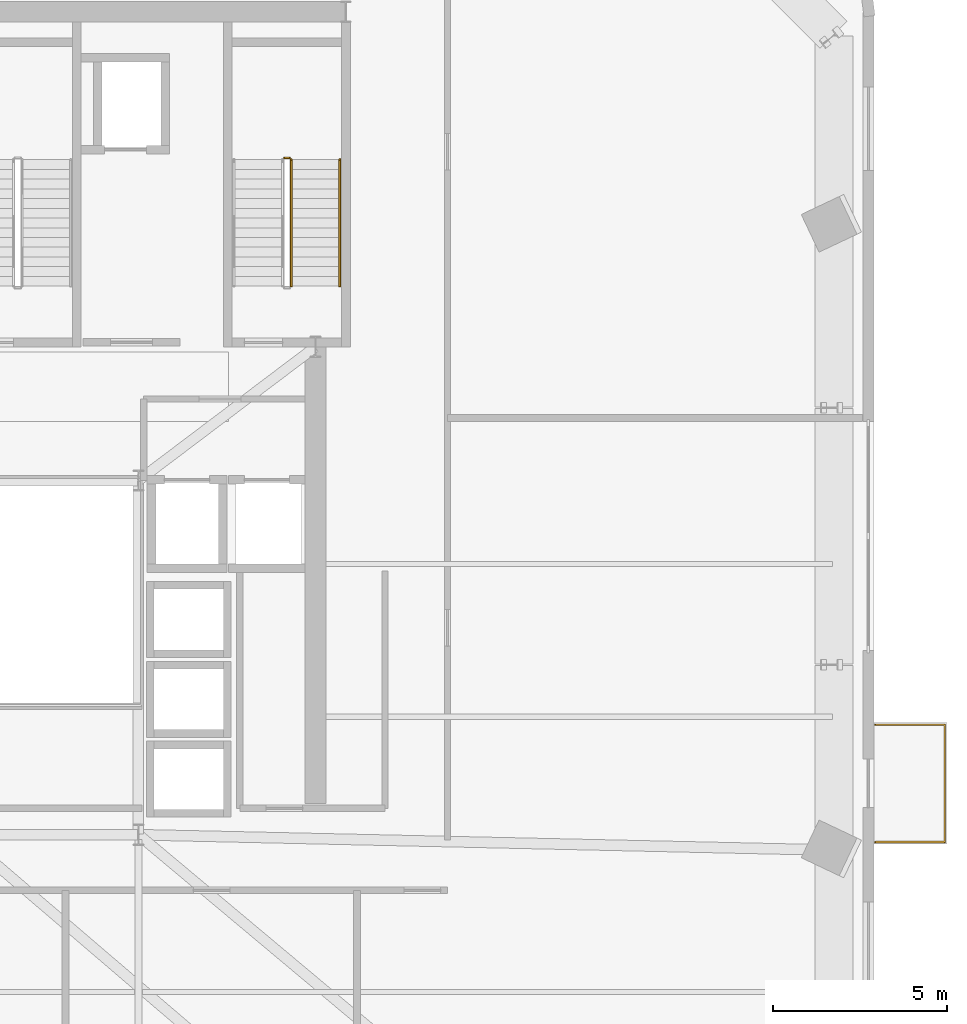
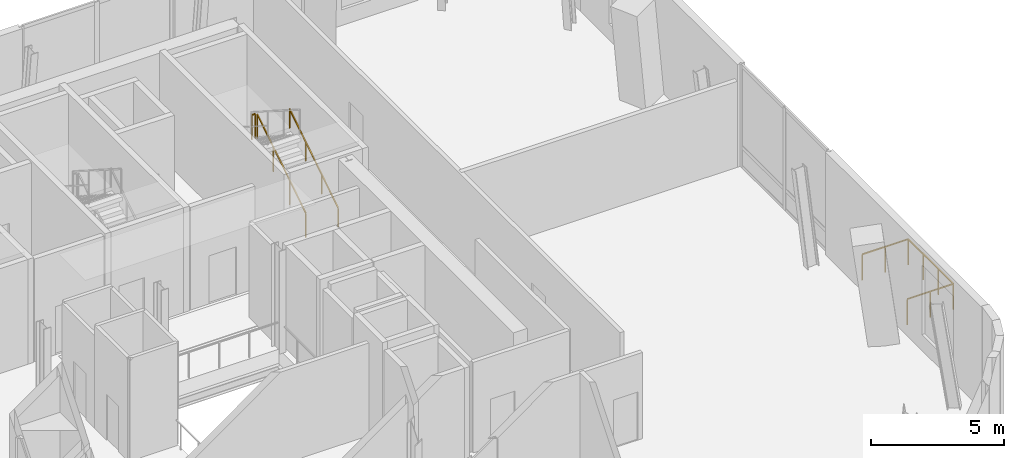
# One storey, part 10 of 11: 4 railings.
"""IFC4 building model written with IfcOpenShell, lengths in metres."""

from ifc_helpers import new_model, si_unit, direction, frame, origin, origin_2d, place, context, subcontext, project, spatial, rectangle, extrude, source, transform, mapped, material, type_object, element, save


model = new_model("IFC4")

# Units and contexts
model_context = context("Model", 3, precision=1e-05, world=origin(), true_north=direction((0.0, 1.0)))
body_context = subcontext(model_context, "Body", "Model", "MODEL_VIEW")
ifc_project = project(units=[si_unit("LENGTHUNIT", "METRE"), si_unit("AREAUNIT", "SQUARE_METRE"), si_unit("VOLUMEUNIT", "CUBIC_METRE"), si_unit("PLANEANGLEUNIT", "RADIAN"), si_unit("MASSUNIT", "GRAM", prefix="KILO")], contexts=[model_context])

# Site, building, storey
site_placement = place(None, origin())
site = spatial("IfcSite", under=ifc_project, at=site_placement, CompositionType="ELEMENT")
building_placement = place(site_placement, origin())
building = spatial("IfcBuilding", under=site, at=building_placement, Name="Vardaveli Station Tower", CompositionType="ELEMENT")
storey_placement = place(building_placement, frame((0.0, 0.0, 286.14990234375)))
storey = spatial("IfcBuildingStorey", under=building, at=storey_placement, Name="L73", CompositionType="ELEMENT", Elevation=286.14990234375)

# Railings
ifc_material_1 = material(Name="Laminated glass and stainless steel balustrade", Category="steel")
railing_type_1 = type_object("IfcRailingType", Name="RL-BAL-1200", PredefinedType="BALUSTRADE", material=ifc_material_1)
shared_shape_1 = source(origin(), body_context, "Body", "SweptSolid", [
    extrude(rectangle(XDim=0.048095703125, YDim=0.048095703125, at=origin_2d()), frame((0.0, 0.0, 1.17578125), z_axis=(1.0, 0.0, 0.0), x_axis=(0.0, 1.0, 0.0)), (0.0, 0.0, 1.0), 2.0),
    extrude(rectangle(XDim=0.048095703125, YDim=0.048095703125, at=origin_2d()), frame((2.0, 0.0, 1.17578125), z_axis=(0.0, 1.0, 0.0), x_axis=(-1.0, 0.0, 0.0)), (0.0, 0.0, 1.0), 3.380126953125),
    extrude(rectangle(XDim=0.048095703125, YDim=0.048095703125, at=origin_2d()), frame((2.0, 3.380126953125, 1.17578125), z_axis=(-1.0, 0.0, 0.0), x_axis=(0.0, -1.0, 0.0)), (0.0, 0.0, 1.0), 2.0),
    extrude(rectangle(XDim=0.0419921875, YDim=0.0419921875, at=origin_2d()), origin(), (0.0, 0.0, 1.0), 1.15185546875),
    extrude(rectangle(XDim=0.0419921875, YDim=0.0419921875, at=origin_2d()), frame((1.0, 0.0, 0.0)), (0.0, 0.0, 1.0), 1.15185546875),
    extrude(rectangle(XDim=0.0419921875, YDim=0.0419921875, at=origin_2d()), frame((2.0, 0.0, 0.0)), (0.0, 0.0, 1.0), 1.15185546875),
    extrude(rectangle(XDim=0.0419921875, YDim=0.0419921875, at=origin_2d()), frame((2.0, 1.126708984375, 0.0)), (0.0, 0.0, 1.0), 1.15185546875),
    extrude(rectangle(XDim=0.0419921875, YDim=0.0419921875, at=origin_2d()), frame((2.0, 2.25341796875, 0.0)), (0.0, 0.0, 1.0), 1.15185546875),
    extrude(rectangle(XDim=0.0419921875, YDim=0.0419921875, at=origin_2d()), frame((2.0, 3.380126953125, 0.0)), (0.0, 0.0, 1.0), 1.15185546875),
    extrude(rectangle(XDim=0.0419921875, YDim=0.0419921875, at=origin_2d()), frame((1.0, 3.380126953125, 0.0)), (0.0, 0.0, 1.0), 1.15185546875),
    extrude(rectangle(XDim=0.0419921875, YDim=0.0419921875, at=origin_2d()), frame((0.0, 3.380126953125, 0.0)), (0.0, 0.0, 1.0), 1.15185546875),
])
railing_1_placement = place(storey_placement, frame((62.6201171875, 16.389892578125, 0.0)))
element("IfcRailing", 1, at=railing_1_placement, inside=storey, type_object=railing_type_1, Name="RL-LOG-L73-02", PredefinedType="BALUSTRADE", context=body_context, shape_type="MappedRepresentation", body=[
    mapped(shared_shape_1, transform((0.0, 0.0, 0.0), scale=1.0)),
])
ifc_material_2 = material(Name="Brushed AISI 316 stainless steel", Category="steel")
railing_type_2 = type_object("IfcRailingType", Name="RL-GUARD-1150", PredefinedType="GUARDRAIL", material=ifc_material_2)
shared_shape_2 = source(origin(), body_context, "Body", "SweptSolid", [
    extrude(rectangle(XDim=0.048095703125, YDim=0.048095703125, at=origin_2d()), frame((0.0, 0.0, 1.1259765625), z_axis=(-1.0, 0.0, 0.0), x_axis=(0.0, -1.0, 0.0)), (0.0, 0.0, 1.0), 0.14990234375),
    extrude(rectangle(XDim=0.0419921875, YDim=0.0419921875, at=origin_2d()), origin(), (0.0, 0.0, 1.0), 1.101806640625),
    extrude(rectangle(XDim=0.0419921875, YDim=0.0419921875, at=origin_2d()), frame((-0.14990234375, 0.0, 0.0)), (0.0, 0.0, 1.0), 1.101806640625),
])
railing_2_placement = place(storey_placement, frame((45.75, 36.090087890625, 2.5)))
element("IfcRailing", 2, at=railing_2_placement, inside=storey, type_object=railing_type_2, Name="L73 ST-3 stair guard 2", PredefinedType="GUARDRAIL", context=body_context, shape_type="MappedRepresentation", body=[
    mapped(shared_shape_2, transform((0.0, 0.0, 0.0), scale=1.0)),
])
shared_shape_3 = source(origin(), body_context, "Body", "SweptSolid", [
    extrude(rectangle(XDim=0.048095703125, YDim=0.048095703125, at=origin_2d()), frame((0.0, 0.0, 1.1259765625), z_axis=(0.0, 0.843153495434, 0.537672933239), x_axis=(-1.0, 0.0, 0.0)), (0.0, 0.0, 1.0), 4.3173828125),
    extrude(rectangle(XDim=0.0419921875, YDim=0.0419921875, at=origin_2d()), origin(), (0.0, 0.0, 1.0), 1.101806640625),
    extrude(rectangle(XDim=0.0419921875, YDim=0.0419921875, at=origin_2d()), frame((0.0, 1.21337890625, 0.773681640625)), (0.0, 0.0, 1.0), 1.101806640625),
    extrude(rectangle(XDim=0.0419921875, YDim=0.0419921875, at=origin_2d()), frame((0.0, 2.4267578125, 1.547607421875)), (0.0, 0.0, 1.0), 1.101806640625),
    extrude(rectangle(XDim=0.0419921875, YDim=0.0419921875, at=origin_2d()), frame((0.0, 3.64013671875, 2.3212890625)), (0.0, 0.0, 1.0), 1.101806640625),
])
railing_3_placement = place(storey_placement, frame((45.800048828125, 32.39990234375, 0.1787109375)))
element("IfcRailing", 3, at=railing_3_placement, inside=storey, type_object=railing_type_2, Name="L73 ST-3 stair guard 1", PredefinedType="GUARDRAIL", context=body_context, shape_type="MappedRepresentation", body=[
    mapped(shared_shape_3, transform((0.0, 0.0, 0.0), scale=1.0)),
])
railing_type_3 = type_object("IfcRailingType", Name="RL-HAND-900", PredefinedType="HANDRAIL", material=ifc_material_2)
shared_shape_4 = source(origin(), body_context, "Body", "SweptSolid", [
    extrude(rectangle(XDim=0.048095703125, YDim=0.048095703125, at=origin_2d()), frame((0.0, 0.0, 0.8759765625), z_axis=(0.0, 0.843153495434, 0.537672933239), x_axis=(-1.0, 0.0, 0.0)), (0.0, 0.0, 1.0), 4.3173828125),
    extrude(rectangle(XDim=0.0419921875, YDim=0.0419921875, at=origin_2d()), origin(), (0.0, 0.0, 1.0), 0.851806640625),
    extrude(rectangle(XDim=0.0419921875, YDim=0.0419921875, at=origin_2d()), frame((0.0, 1.21337890625, 0.773681640625)), (0.0, 0.0, 1.0), 0.851806640625),
    extrude(rectangle(XDim=0.0419921875, YDim=0.0419921875, at=origin_2d()), frame((0.0, 2.4267578125, 1.547607421875)), (0.0, 0.0, 1.0), 0.851806640625),
    extrude(rectangle(XDim=0.0419921875, YDim=0.0419921875, at=origin_2d()), frame((0.0, 3.64013671875, 2.3212890625)), (0.0, 0.0, 1.0), 0.851806640625),
])
railing_4_placement = place(storey_placement, frame((47.199951171875, 32.39990234375, 0.1787109375)))
element("IfcRailing", 4, at=railing_4_placement, inside=storey, type_object=railing_type_3, Name="L73 ST-3 stair handrail 1", PredefinedType="HANDRAIL", context=body_context, shape_type="MappedRepresentation", body=[
    mapped(shared_shape_4, transform((0.0, 0.0, 0.0), scale=1.0)),
])

save(model, "model.ifc")
